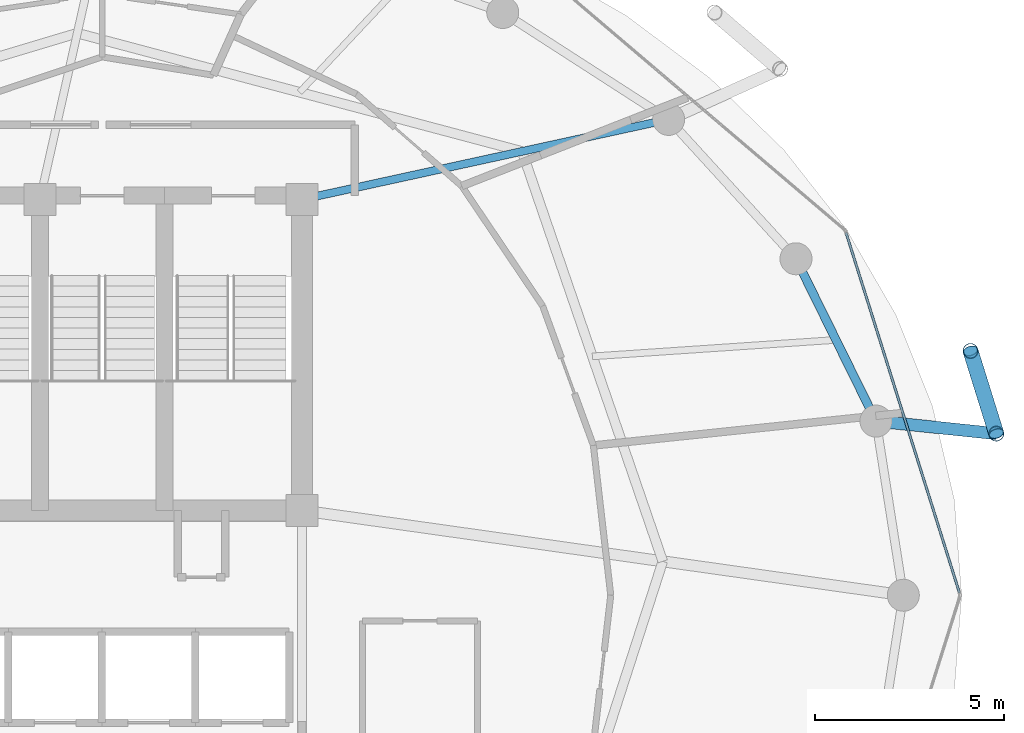
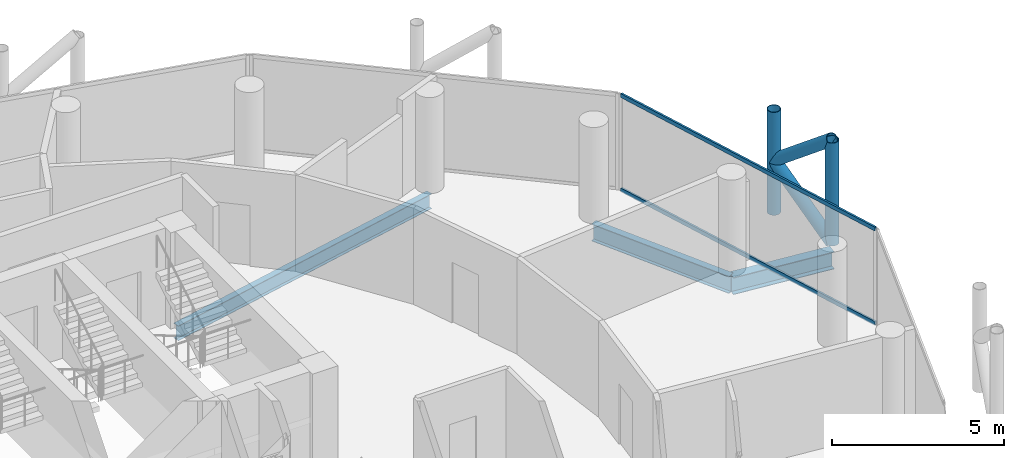
# One storey, part 16 of 27: 6 members, 3 beams, 1 element without a shape of its own.
"""IFC4 building model written with IfcOpenShell, lengths in metres."""

from ifc_helpers import new_model, si_unit, direction, frame, origin, origin_2d, place, context, subcontext, project, spatial, hollow_rectangle, hollow_circle, i_section, extrude, material, layer, layer_set, material_profile, profile_set, type_object, element, aggregate, save


model = new_model("IFC4")

# Units and contexts
model_context = context("Model", 3, precision=1e-05, world=origin(), true_north=direction((0.0, 1.0)))
body_context = subcontext(model_context, "Body", "Model", "MODEL_VIEW")
ifc_project = project(units=[si_unit("LENGTHUNIT", "METRE"), si_unit("AREAUNIT", "SQUARE_METRE"), si_unit("VOLUMEUNIT", "CUBIC_METRE"), si_unit("PLANEANGLEUNIT", "RADIAN"), si_unit("MASSUNIT", "GRAM", prefix="KILO")], contexts=[model_context])

# Site, building, storey
site_placement = place(None, origin())
site = spatial("IfcSite", under=ifc_project, at=site_placement, CompositionType="ELEMENT")
building_placement = place(site_placement, origin())
building = spatial("IfcBuilding", under=site, at=building_placement, Name="Nuhasar Tower", CompositionType="ELEMENT")
storey_placement = place(building_placement, frame((0.0, 0.0, 241.0)))
storey = spatial("IfcBuildingStorey", under=building, at=storey_placement, Name="L59", CompositionType="ELEMENT", Elevation=241.0)

# Beams
ifc_material_1 = material(Name="Steel S355", Category="steel")
ifc_material_profile_1 = material_profile(ifc_material_1, i_section(OverallWidth=0.208984375, OverallDepth=0.528076171875, WebThickness=0.009521484375, FlangeThickness=0.01318359375, at=origin_2d()), Name="W21X55")
ifc_profile_set_1 = profile_set([ifc_material_profile_1], Name="Steel S355")
beam_type_1 = type_object("IfcBeamType", Name="BM-RAD-W21X55", PredefinedType="BEAM", material=ifc_profile_set_1)
beam_1_placement = place(storey_placement, frame((44.300048828125, 37.300048828125, -0.50390625), z_axis=(0.977014275474, 0.213173885644, 0.0), x_axis=(-0.213173885644, 0.977014275474, 0.0)))
element("IfcBeam", 1, at=beam_1_placement, inside=storey, type_object=beam_type_1, Name="L59 Radial Floor Girder 05", PredefinedType="BEAM", context=body_context, shape_type="SweptSolid", body=[
    extrude(i_section(OverallWidth=0.208984375, OverallDepth=0.528076171875, WebThickness=0.009521484375, FlangeThickness=0.01318359375, at=origin_2d()), origin(), (0.0, 0.0, 1.0), 9.95458984375),
])
ifc_material_profile_2 = material_profile(ifc_material_1, i_section(OverallWidth=0.22802734375, OverallDepth=0.60791015625, WebThickness=0.01123046875, FlangeThickness=0.017333984375, at=origin_2d()), Name="W24X76")
ifc_profile_set_2 = profile_set([ifc_material_profile_2], Name="Steel S355")
beam_type_2 = type_object("IfcBeamType", Name="BM-RING-W24X76", PredefinedType="SPANDREL", material=ifc_profile_set_2)
beam_2_placement = place(storey_placement, frame((59.52587890625, 31.419921875, -0.5439453125), z_axis=(-0.442242604409, 0.896895467067, 0.0), x_axis=(-0.896895467067, -0.442242604409, 0.0)))
element("IfcBeam", 2, at=beam_2_placement, inside=storey, type_object=beam_type_2, Name="L59 Perimeter Ring Spandrel 02", PredefinedType="SPANDREL", context=body_context, shape_type="SweptSolid", body=[
    extrude(i_section(OverallWidth=0.22802734375, OverallDepth=0.60791015625, WebThickness=0.01123046875, FlangeThickness=0.017333984375, at=origin_2d()), origin(), (0.0, 0.0, 1.0), 4.800048828125),
])
ifc_material_profile_3 = material_profile(ifc_material_1, i_section(OverallWidth=0.323974609375, OverallDepth=0.611083984375, WebThickness=0.0126953125, FlangeThickness=0.01904296875, at=origin_2d()), Name="W24X104")
ifc_profile_set_3 = profile_set([ifc_material_profile_3], Name="Steel S355")
beam_type_3 = type_object("IfcBeamType", Name="BM-TIE-W24X104", PredefinedType="BEAM", material=ifc_profile_set_3)
beam_3_placement = place(storey_placement, frame((59.52587890625, 31.419921875, -0.5458984375), z_axis=(0.994571111079, -0.10405914187, 0.0), x_axis=(0.10405914187, 0.994571111079, 0.0)))
element("IfcBeam", 3, at=beam_3_placement, inside=storey, type_object=beam_type_3, Name="L59 Exoskeleton Node Tie Beam 01", PredefinedType="BEAM", context=body_context, shape_type="SweptSolid", body=[
    extrude(i_section(OverallWidth=0.323974609375, OverallDepth=0.611083984375, WebThickness=0.0126953125, FlangeThickness=0.01904296875, at=origin_2d()), origin(), (0.0, 0.0, 1.0), 3.20947265625),
])

# Curtain wall, members
ifc_material_2 = material(Name="Aluminium 6063-T6", Category="aluminium")
ifc_layer = layer(ifc_material_2, 0.18994140625)
ifc_layer_set = layer_set([ifc_layer], Name="Aluminium 6063-T6")
curtain_wall_type = type_object("IfcCurtainWallType", Name="CW-Z3-RES", PredefinedType="NOTDEFINED", material=ifc_layer_set)
curtain_wall_placement = place(storey_placement, origin())
curtain_wall = element("IfcCurtainWall", 4, at=curtain_wall_placement, inside=storey, type_object=curtain_wall_type, Name="L59 Unitised Curtain Wall 01", PredefinedType="NOTDEFINED")
ifc_material_profile_4 = material_profile(ifc_material_2, hollow_rectangle(XDim=0.06494140625, YDim=0.139892578125, WallThickness=0.00439453125, at=origin_2d()), Name="CWT-4")
ifc_profile_set_4 = profile_set([ifc_material_profile_4], Name="Aluminium 6063-T6")
member_type_1 = type_object("IfcMemberType", Name="CW-TRN-S4", PredefinedType="USERDEFINED", material=ifc_profile_set_4)
member_1_placement = place(storey_placement, frame((61.740478515625, 26.862060546875, 0.032470703125), z_axis=(-0.300437373386, 0.953801543652, 0.0), x_axis=(-0.953801543652, -0.300437373386, 0.0)))
member_1 = element("IfcMember", 5, at=member_1_placement, type_object=member_type_1, Name="CW-Z3 transom 1.1", ObjectType="TRANSOM", PredefinedType="USERDEFINED", context=body_context, shape_type="SweptSolid", body=[
    extrude(hollow_rectangle(XDim=0.06494140625, YDim=0.139892578125, WallThickness=0.00439453125, at=origin_2d()), origin(), (0.0, 0.0, 1.0), 10.018798828125),
])
member_2_placement = place(storey_placement, frame((61.740478515625, 26.862060546875, 3.37744140625), z_axis=(-0.300437373386, 0.953801543652, 0.0), x_axis=(-0.953801543652, -0.300437373386, 0.0)))
member_2 = element("IfcMember", 6, at=member_2_placement, type_object=member_type_1, Name="CW-Z3 transom 1.2", ObjectType="TRANSOM", PredefinedType="USERDEFINED", context=body_context, shape_type="SweptSolid", body=[
    extrude(hollow_rectangle(XDim=0.06494140625, YDim=0.139892578125, WallThickness=0.00439453125, at=origin_2d()), origin(), (0.0, 0.0, 1.0), 10.018798828125),
])
aggregate(curtain_wall, [member_1, member_2])

# Members
ifc_material_3 = material(Name="Steel S460", Category="steel")
ifc_material_profile_5 = material_profile(ifc_material_3, hollow_circle(Radius=0.203125, WallThickness=0.01904296875, at=origin_2d()), Name="HSS406.4X19.1")
ifc_profile_set_5 = profile_set([ifc_material_profile_5], Name="Steel S460")
member_type_2 = type_object("IfcMemberType", Name="EXO-BRONZE-406", PredefinedType="BRACE", material=ifc_profile_set_5)
for number, where, z_axis, x_axis, name in (
    (7, (62.718017578125, 31.0859375, 0.0), (0.0, 0.0, 1.0), (1.0, 0.0, 0.0), "L59 Exoskeleton Chord Column EC-01A"),
    (8, (62.032958984375, 33.281005859375, 0.0), (0.0, 0.0, 1.0), (1.0, 0.0, 0.0), "L59 Exoskeleton Chord Column EC-01B"),
):
    element("IfcMember", number, at=place(storey_placement, frame(where, z_axis=z_axis, x_axis=x_axis)), inside=storey, type_object=member_type_2, Name=name, PredefinedType="BRACE", context=body_context, shape_type="SweptSolid", body=[
        extrude(hollow_circle(Radius=0.203125, WallThickness=0.01904296875, at=origin_2d()), origin(), (0.0, 0.0, 1.0), 3.64990234375),
    ])
for number, where, z_axis, x_axis, name in (
    (9, (62.718017578125, 31.0859375, 0.0), (-0.233357911711, 0.747726651531, 0.621650174641), (-0.954591372974, -0.297918295247, 0.0), "L59 Bronze Diagrid Brace W1-01"),
    (10, (62.032958984375, 33.281005859375, 1.824951171875), (0.233357911711, -0.747726651531, 0.621650174641), (0.954591372974, 0.297918295247, 0.0), "L59 Bronze Diagrid Brace W2-01"),
):
    element("IfcMember", number, at=place(storey_placement, frame(where, z_axis=z_axis, x_axis=x_axis)), inside=storey, type_object=member_type_2, Name=name, PredefinedType="BRACE", context=body_context, shape_type="SweptSolid", body=[
        extrude(hollow_circle(Radius=0.203125, WallThickness=0.01904296875, at=origin_2d()), origin(), (0.0, 0.0, 1.0), 2.935546875),
    ])

save(model, "model.ifc")
